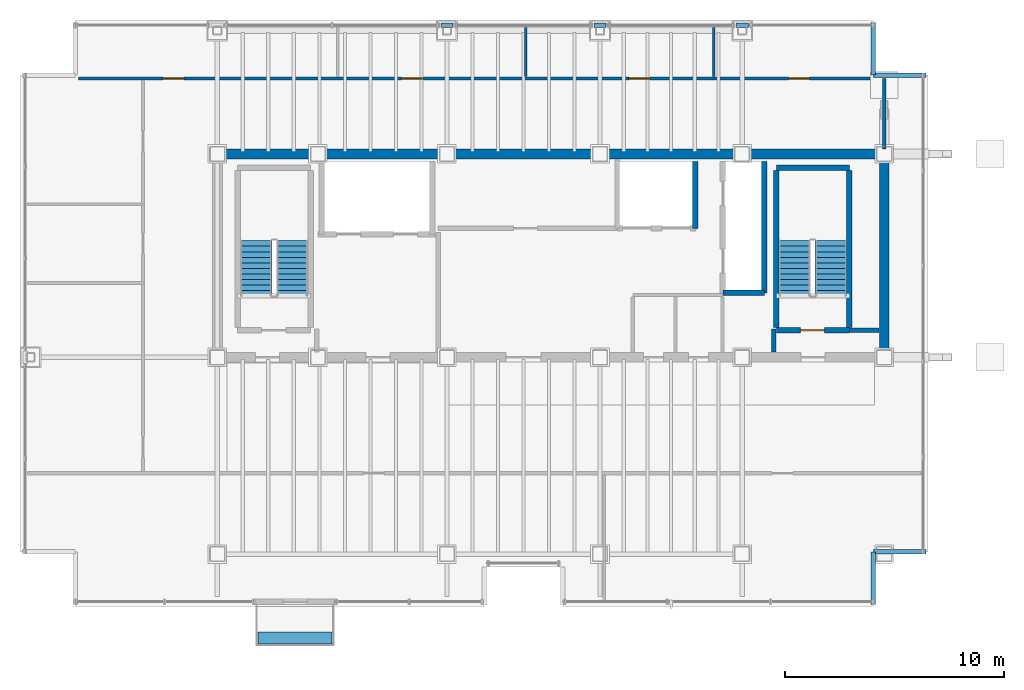
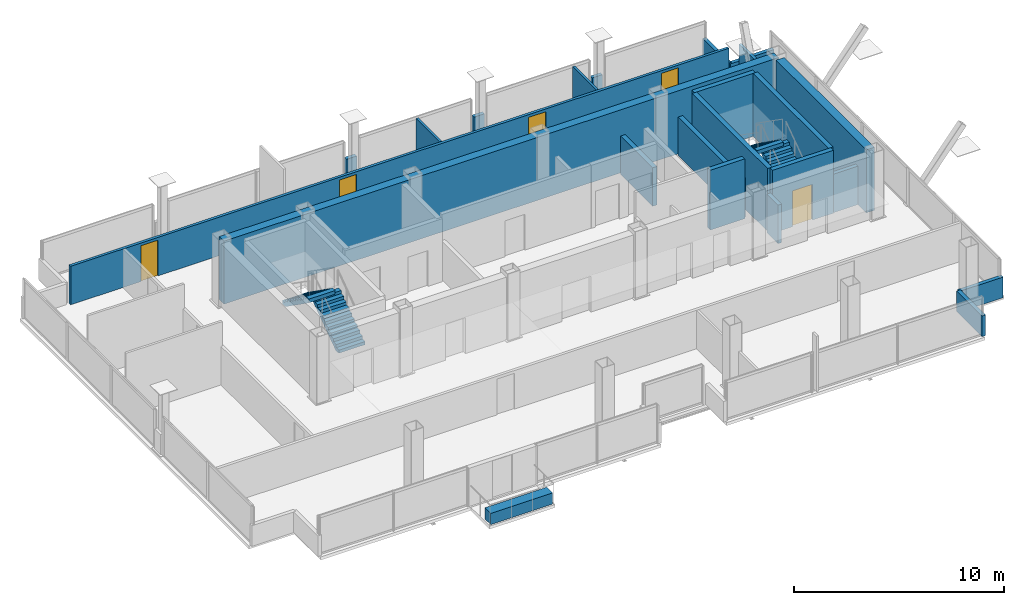
# One storey, part 15 of 16: 22 walls, 5 doors, 4 stair flights, 1 discrete accessory, 5 openings, 2 elements without a shape of their own.
"""IFC4 building model written with IfcOpenShell, lengths in metres."""

from ifc_helpers import new_model, si_unit, direction, frame, frame_2d, origin, origin_2d, place, context, subcontext, project, spatial, polyline, rectangle, outline, extrude, material, layer, layer_set, type_object, element, fill, aggregate, save


model = new_model("IFC4")

# Units and contexts
model_context = context("Model", 3, precision=1e-05, world=origin(), true_north=direction((0.0, 1.0)))
body_context = subcontext(model_context, "Body", "Model", "MODEL_VIEW")
ifc_project = project(units=[si_unit("LENGTHUNIT", "METRE"), si_unit("AREAUNIT", "SQUARE_METRE"), si_unit("VOLUMEUNIT", "CUBIC_METRE"), si_unit("PLANEANGLEUNIT", "RADIAN"), si_unit("MASSUNIT", "GRAM", prefix="KILO")], contexts=[model_context])

# Site, building, storey
site_placement = place(None, origin())
site = spatial("IfcSite", under=ifc_project, at=site_placement, CompositionType="ELEMENT")
building_placement = place(site_placement, origin())
building = spatial("IfcBuilding", under=site, at=building_placement, Name="Noeulbin Bourse Tower", CompositionType="ELEMENT")
storey_placement = place(building_placement, frame((0.0, 0.0, 277.39990234375)))
storey = spatial("IfcBuildingStorey", under=building, at=storey_placement, Name="L69", CompositionType="ELEMENT", Elevation=277.39990234375)

# Walls
ifc_material_1 = material(Name="Concrete C50/60", Category="concrete")
ifc_layer_1 = layer(ifc_material_1, 0.449951171875)
ifc_layer_set_1 = layer_set([ifc_layer_1], Name="Concrete C50/60")
wall_type_1 = type_object("IfcWallType", Name="WAL-CORE-450", PredefinedType="SHEAR", material=ifc_layer_set_1)
wall_1_placement = place(storey_placement, frame((13.5, 38.300048828125, 0.0), z_axis=(0.0, 0.0, 1.0), x_axis=(1.0, 0.0, 0.0)))
element("IfcWall", 1, at=wall_1_placement, inside=storey, type_object=wall_type_1, Name="Rear Core North Shear Wall L69", PredefinedType="SHEAR", context=body_context, shape_type="SweptSolid", body=[
    extrude(rectangle(XDim=30.5, YDim=0.449951171875, at=frame_2d((15.25, 0.0))), origin(), (0.0, 0.0, 1.0), 3.66015625),
])
wall_2_placement = place(storey_placement, frame((44.0, 29.35009765625, 0.0), z_axis=(0.0, 0.0, 1.0), x_axis=(0.0, 1.0, 0.0)))
element("IfcWall", 2, at=wall_2_placement, inside=storey, type_object=wall_type_1, Name="Rear Core East Shear Wall L69", PredefinedType="SHEAR", context=body_context, shape_type="SweptSolid", body=[
    extrude(rectangle(XDim=8.599853515625, YDim=0.449951171875, at=frame_2d((4.2998046875, 0.0))), origin(), (0.0, 0.0, 1.0), 3.66015625),
])
ifc_material_2 = material(Name="Concrete C40/50", Category="concrete")
ifc_layer_2 = layer(ifc_material_2, 0.199951171875)
ifc_layer_set_2 = layer_set([ifc_layer_2], Name="Concrete C40/50")
wall_type_2 = type_object("IfcWallType", Name="WAL-FIRE-200", PredefinedType="STANDARD", material=ifc_layer_set_2)
wall_3_placement = place(storey_placement, frame((42.39990234375, 30.239990234375, 0.0), z_axis=(0.0, 0.0, 1.0), x_axis=(1.0, 0.0, 0.0)))
element("IfcWall", 3, at=wall_3_placement, inside=storey, type_object=wall_type_2, Name="Interior Partition Wall L69-01", PredefinedType="STANDARD", context=body_context, shape_type="SweptSolid", body=[
    extrude(rectangle(XDim=1.364990234375, YDim=0.199951171875, at=frame_2d((0.6826171875, 0.0))), origin(), (0.0, 0.0, 1.0), 2.239990234375),
])
wall_4_placement = place(storey_placement, frame((38.949951171875, 29.235107421875, 0.0), z_axis=(0.0, 0.0, 1.0), x_axis=(0.0, 1.0, 0.0)))
element("IfcWall", 4, at=wall_4_placement, inside=storey, type_object=wall_type_2, Name="Interior Partition Wall L69-09", PredefinedType="STANDARD", context=body_context, shape_type="SweptSolid", body=[
    extrude(rectangle(XDim=1.06494140625, YDim=0.199951171875, at=frame_2d((0.532470703125, 0.0))), origin(), (0.0, 0.0, 1.0), 2.239990234375),
])
ifc_layer_3 = layer(ifc_material_2, 0.199951171875)
ifc_layer_set_3 = layer_set([ifc_layer_3], Name="Concrete C40/50")
wall_type_3 = type_object("IfcWallType", Name="WAL-PAR-200", PredefinedType="PARAPET", material=ifc_layer_set_3)
for number, where, z_axis, x_axis, name in (
    (5, (23.719970703125, 44.179931640625, 0.0), (0.0, 0.0, 1.0), (1.0, 0.0, 0.0), "Perimeter Pier Spandrel Parapet L69-N2"),
    (6, (30.719970703125, 44.179931640625, 0.0), (0.0, 0.0, 1.0), (1.0, 0.0, 0.0), "Perimeter Pier Spandrel Parapet L69-N3"),
    (7, (37.219970703125, 44.179931640625, 0.0), (0.0, 0.0, 1.0), (1.0, 0.0, 0.0), "Perimeter Pier Spandrel Parapet L69-N4"),
):
    element("IfcWall", number, at=place(storey_placement, frame(where, z_axis=z_axis, x_axis=x_axis)), inside=storey, type_object=wall_type_3, Name=name, PredefinedType="PARAPET", context=body_context, shape_type="SweptSolid", body=[
        extrude(rectangle(XDim=0.56005859375, YDim=0.199951171875, at=frame_2d((0.280029296875, 0.0))), origin(), (0.0, 0.0, 1.0), 1.2001953125),
    ])
wall_5_placement = place(storey_placement, frame((43.5, 17.699951171875, 0.0), z_axis=(0.0, 0.0, 1.0), x_axis=(0.0, 1.0, 0.0)))
element("IfcWall", 8, at=wall_5_placement, inside=storey, type_object=wall_type_3, Name="Corner Notch Parapet L69-SE1", PredefinedType="PARAPET", context=body_context, shape_type="SweptSolid", body=[
    extrude(rectangle(XDim=2.400146484375, YDim=0.199951171875, at=frame_2d((1.2001953125, 0.0))), origin(), (0.0, 0.0, 1.0), 1.2001953125),
])
wall_6_placement = place(storey_placement, frame((43.5, 20.10009765625, 0.0), z_axis=(0.0, 0.0, 1.0), x_axis=(1.0, 0.0, 0.0)))
element("IfcWall", 9, at=wall_6_placement, inside=storey, type_object=wall_type_3, Name="Corner Notch Parapet L69-SE2", PredefinedType="PARAPET", context=body_context, shape_type="SweptSolid", body=[
    extrude(rectangle(XDim=2.39990234375, YDim=0.199951171875, at=frame_2d((1.199951171875, 0.0))), origin(), (0.0, 0.0, 1.0), 1.2001953125),
])
wall_7_placement = place(storey_placement, frame((43.5, 44.300048828125, 0.0), z_axis=(0.0, 0.0, 1.0), x_axis=(0.0, -1.0, 0.0)))
element("IfcWall", 10, at=wall_7_placement, inside=storey, type_object=wall_type_3, Name="Corner Notch Parapet L69-NE1", PredefinedType="PARAPET", context=body_context, shape_type="SweptSolid", body=[
    extrude(rectangle(XDim=2.400146484375, YDim=0.199951171875, at=frame_2d((1.2001953125, 0.0))), origin(), (0.0, 0.0, 1.0), 1.2001953125),
])
wall_8_placement = place(storey_placement, frame((43.5, 41.89990234375, 0.0), z_axis=(0.0, 0.0, 1.0), x_axis=(1.0, 0.0, 0.0)))
element("IfcWall", 11, at=wall_8_placement, inside=storey, type_object=wall_type_3, Name="Corner Notch Parapet L69-NE2", PredefinedType="PARAPET", context=body_context, shape_type="SweptSolid", body=[
    extrude(rectangle(XDim=2.39990234375, YDim=0.199951171875, at=frame_2d((1.199951171875, 0.0))), origin(), (0.0, 0.0, 1.0), 1.2001953125),
])
ifc_material_3 = material(Name="Steel Stud Gypsum Partition", Category="steel")
ifc_layer_4 = layer(ifc_material_3, 0.1201171875)
ifc_layer_set_4 = layer_set([ifc_layer_4], Name="Steel Stud Gypsum Partition")
wall_type_4 = type_object("IfcWallType", Name="WAL-PRT-120", PredefinedType="PARTITIONING", material=ifc_layer_set_4)
for number, where, z_axis, x_axis, name in (
    (12, (27.60009765625, 41.8349609375, 0.0), (0.0, 0.0, 1.0), (0.0, 1.0, 0.0), "Interior Partition Wall L69-18"),
    (13, (36.199951171875, 41.8349609375, 0.0), (0.0, 0.0, 1.0), (0.0, 1.0, 0.0), "Interior Partition Wall L69-19"),
):
    element("IfcWall", number, at=place(storey_placement, frame(where, z_axis=z_axis, x_axis=x_axis)), inside=storey, type_object=wall_type_4, Name=name, PredefinedType="PARTITIONING", context=body_context, shape_type="SweptSolid", body=[
        extrude(rectangle(XDim=2.255126953125, YDim=0.1201171875, at=frame_2d((1.12744140625, 0.0))), origin(), (0.0, 0.0, 1.0), 2.239990234375),
    ])

# Wall, openings, doors
ifc_material_4 = material(Name="Steel Stud Acoustic Gypsum Board", Category="steel")
ifc_layer_5 = layer(ifc_material_4, 0.14990234375)
ifc_layer_set_5 = layer_set([ifc_layer_5], Name="Steel Stud Acoustic Gypsum Board")
wall_type_5 = type_object("IfcWallType", Name="WAL-PRT-150", PredefinedType="PARTITIONING", material=ifc_layer_set_5)
wall_9_placement = place(storey_placement, frame((7.159912109375, 41.75, 0.0), z_axis=(0.0, 0.0, 1.0), x_axis=(1.0, 0.0, 0.0)))
wall_9 = element("IfcWall", 14, at=wall_9_placement, inside=storey, type_object=wall_type_5, Name="Interior Partition Wall L69-07", PredefinedType="PARTITIONING", context=body_context, shape_type="SweptSolid", body=[
    extrude(rectangle(XDim=36.18017578125, YDim=0.14990234375, at=frame_2d((18.090087890625, 0.0))), origin(), (0.0, 0.0, 1.0), 2.239990234375),
])
opening_1_placement = place(wall_9_placement, frame((3.85498046875, 0.0, 0.0)))
opening_1 = element("IfcOpeningElement", 15, at=opening_1_placement, cuts=wall_9, Name="Opening ID-09", PredefinedType="OPENING", context=body_context, shape_type="SweptSolid", body=[
    extrude(rectangle(XDim=0.949951171875, YDim=2.080078125, at=frame_2d((0.47509765625, 1.0400390625))), frame((0.0, 0.0849609375, 0.0), z_axis=(0.0, -1.0, 0.0), x_axis=(1.0, 0.0, 0.0)), (0.0, 0.0, 1.0), 0.169921875),
])
opening_2_placement = place(wall_9_placement, frame((14.764892578125, 0.0, 0.0)))
opening_2 = element("IfcOpeningElement", 16, at=opening_2_placement, cuts=wall_9, Name="Opening ID-09", PredefinedType="OPENING", context=body_context, shape_type="SweptSolid", body=[
    extrude(rectangle(XDim=0.949951171875, YDim=2.080078125, at=frame_2d((0.47509765625, 1.0400390625))), frame((0.0, 0.0849609375, 0.0), z_axis=(0.0, -1.0, 0.0), x_axis=(1.0, 0.0, 0.0)), (0.0, 0.0, 1.0), 0.169921875),
])
opening_3_placement = place(wall_9_placement, frame((25.1650390625, 0.0, 0.0)))
opening_3 = element("IfcOpeningElement", 17, at=opening_3_placement, cuts=wall_9, Name="Opening ID-09", PredefinedType="OPENING", context=body_context, shape_type="SweptSolid", body=[
    extrude(rectangle(XDim=0.949951171875, YDim=2.080078125, at=frame_2d((0.47509765625, 1.0400390625))), frame((0.0, 0.0849609375, 0.0), z_axis=(0.0, -1.0, 0.0), x_axis=(1.0, 0.0, 0.0)), (0.0, 0.0, 1.0), 0.169921875),
])
opening_4_placement = place(wall_9_placement, frame((32.465087890625, 0.0, 0.0)))
opening_4 = element("IfcOpeningElement", 18, at=opening_4_placement, cuts=wall_9, Name="Opening ID-09", PredefinedType="OPENING", context=body_context, shape_type="SweptSolid", body=[
    extrude(rectangle(XDim=0.949951171875, YDim=2.080078125, at=frame_2d((0.47509765625, 1.0400390625))), frame((0.0, 0.0849609375, 0.0), z_axis=(0.0, -1.0, 0.0), x_axis=(1.0, 0.0, 0.0)), (0.0, 0.0, 1.0), 0.169921875),
])
ifc_material_5 = material(Name="Acoustic Solid-Core Timber", Category="wood")
door_type_1 = type_object("IfcDoorType", Name="DR-SINGLE-950", OperationType="SINGLE_SWING_LEFT", PredefinedType="DOOR", material=ifc_material_5)
door_1_placement = place(opening_1_placement, origin())
door_1 = element("IfcDoor", 19, at=door_1_placement, inside=storey, type_object=door_type_1, Name="Interior Door L69-13", OperationType="SINGLE_SWING_LEFT", OverallHeight=2.080078125, OverallWidth=0.949951171875, PredefinedType="DOOR", context=body_context, shape_type="SweptSolid", body=[
    extrude(rectangle(XDim=0.949951171875, YDim=2.080078125, at=frame_2d((0.47509765625, 1.0400390625))), frame((0.0, 0.02490234375, 0.0), z_axis=(0.0, -1.0, 0.0), x_axis=(1.0, 0.0, 0.0)), (0.0, 0.0, 1.0), 0.050048828125),
])
fill(opening_1, door_1)
door_2_placement = place(opening_2_placement, origin())
door_2 = element("IfcDoor", 20, at=door_2_placement, inside=storey, type_object=door_type_1, Name="Interior Door L69-14", OperationType="SINGLE_SWING_RIGHT", OverallHeight=2.080078125, OverallWidth=0.949951171875, PredefinedType="DOOR", context=body_context, shape_type="SweptSolid", body=[
    extrude(rectangle(XDim=0.949951171875, YDim=2.080078125, at=frame_2d((0.47509765625, 1.0400390625))), frame((0.0, 0.02490234375, 0.0), z_axis=(0.0, -1.0, 0.0), x_axis=(1.0, 0.0, 0.0)), (0.0, 0.0, 1.0), 0.050048828125),
])
fill(opening_2, door_2)
door_3_placement = place(opening_3_placement, origin())
door_3 = element("IfcDoor", 21, at=door_3_placement, inside=storey, type_object=door_type_1, Name="Interior Door L69-15", OperationType="SINGLE_SWING_LEFT", OverallHeight=2.080078125, OverallWidth=0.949951171875, PredefinedType="DOOR", context=body_context, shape_type="SweptSolid", body=[
    extrude(rectangle(XDim=0.949951171875, YDim=2.080078125, at=frame_2d((0.47509765625, 1.0400390625))), frame((0.0, 0.02490234375, 0.0), z_axis=(0.0, -1.0, 0.0), x_axis=(1.0, 0.0, 0.0)), (0.0, 0.0, 1.0), 0.050048828125),
])
fill(opening_3, door_3)
door_4_placement = place(opening_4_placement, origin())
door_4 = element("IfcDoor", 22, at=door_4_placement, inside=storey, type_object=door_type_1, Name="Interior Door L69-16", OperationType="SINGLE_SWING_RIGHT", OverallHeight=2.080078125, OverallWidth=0.949951171875, PredefinedType="DOOR", context=body_context, shape_type="SweptSolid", body=[
    extrude(rectangle(XDim=0.949951171875, YDim=2.080078125, at=frame_2d((0.47509765625, 1.0400390625))), frame((0.0, 0.02490234375, 0.0), z_axis=(0.0, -1.0, 0.0), x_axis=(1.0, 0.0, 0.0)), (0.0, 0.0, 1.0), 0.050048828125),
])
fill(opening_4, door_4)

# Wall
wall_10_placement = place(storey_placement, frame((44.0, 38.534912109375, 0.0), z_axis=(0.0, 0.0, 1.0), x_axis=(0.0, 1.0, 0.0)))
element("IfcWall", 23, at=wall_10_placement, inside=storey, type_object=wall_type_5, Name="Interior Partition Wall L69-16", PredefinedType="PARTITIONING", context=body_context, shape_type="SweptSolid", body=[
    extrude(rectangle(XDim=3.205078125, YDim=0.14990234375, at=frame_2d((1.6025390625, 0.0))), origin(), (0.0, 0.0, 1.0), 2.239990234375),
])

# Wall, opening, door
ifc_layer_6 = layer(ifc_material_2, 0.25)
ifc_layer_set_6 = layer_set([ifc_layer_6], Name="Concrete C40/50")
wall_type_6 = type_object("IfcWallType", Name="WAL-SHFT-250", PredefinedType="STANDARD", material=ifc_layer_set_6)
wall_11_placement = place(storey_placement, frame((39.06005859375, 30.235107421875, 0.0), z_axis=(0.0, 0.0, 1.0), x_axis=(1.0, 0.0, 0.0)))
wall_11 = element("IfcWall", 24, at=wall_11_placement, inside=storey, type_object=wall_type_6, Name="Stair ST-2 South Shaft Wall L69", PredefinedType="STANDARD", context=body_context, shape_type="SweptSolid", body=[
    extrude(rectangle(XDim=3.33984375, YDim=0.25, at=frame_2d((1.669921875, 0.0))), origin(), (0.0, 0.0, 1.0), 3.66015625),
])
opening_5_placement = place(wall_11_placement, frame((1.10009765625, 0.0, 0.0)))
opening_5 = element("IfcOpeningElement", 25, at=opening_5_placement, cuts=wall_11, Name="Opening FD-11", PredefinedType="OPENING", context=body_context, shape_type="SweptSolid", body=[
    extrude(rectangle(XDim=1.10009765625, YDim=2.080078125, at=frame_2d((0.550048828125, 1.0400390625))), frame((0.0, 0.135009765625, 0.0), z_axis=(0.0, -1.0, 0.0), x_axis=(1.0, 0.0, 0.0)), (0.0, 0.0, 1.0), 0.27001953125),
])
ifc_material_6 = material(Name="Fire-Rated Insulated Steel", Category="steel")
door_type_2 = type_object("IfcDoorType", Name="DR-FD60-1100", OperationType="SINGLE_SWING_LEFT", PredefinedType="DOOR", material=ifc_material_6)
door_5_placement = place(opening_5_placement, origin())
door_5 = element("IfcDoor", 26, at=door_5_placement, inside=storey, type_object=door_type_2, Name="Protected Stair Entry Door ST2-L69", OperationType="SINGLE_SWING_RIGHT", OverallHeight=2.080078125, OverallWidth=1.10009765625, PredefinedType="DOOR", context=body_context, shape_type="SweptSolid", body=[
    extrude(rectangle(XDim=1.10009765625, YDim=2.080078125, at=frame_2d((0.550048828125, 1.0400390625))), frame((0.0, 0.02490234375, 0.0), z_axis=(0.0, -1.0, 0.0), x_axis=(1.0, 0.0, 0.0)), (0.0, 0.0, 1.0), 0.050048828125),
])
fill(opening_5, door_5)

# Walls
wall_12_placement = place(storey_placement, frame((39.06005859375, 37.6689453125, 0.0), z_axis=(0.0, 0.0, 1.0), x_axis=(1.0, 0.0, 0.0)))
element("IfcWall", 27, at=wall_12_placement, inside=storey, type_object=wall_type_6, Name="Stair ST-2 North Shaft Wall L69", PredefinedType="STANDARD", context=body_context, shape_type="SweptSolid", body=[
    extrude(rectangle(XDim=3.33984375, YDim=0.25, at=frame_2d((1.669921875, 0.0))), origin(), (0.0, 0.0, 1.0), 3.66015625),
])
for number, where, z_axis, x_axis, name in (
    (28, (39.054931640625, 30.360107421875, 0.0), (0.0, 0.0, 1.0), (0.0, 1.0, 0.0), "Stair ST-2 West Shaft Wall L69"),
    (29, (42.405029296875, 30.360107421875, 0.0), (0.0, 0.0, 1.0), (0.0, 1.0, 0.0), "Stair ST-2 East Shaft Wall L69"),
):
    element("IfcWall", number, at=place(storey_placement, frame(where, z_axis=z_axis, x_axis=x_axis)), inside=storey, type_object=wall_type_6, Name=name, PredefinedType="STANDARD", context=body_context, shape_type="SweptSolid", body=[
        extrude(rectangle(XDim=7.183837890625, YDim=0.25, at=frame_2d((3.591796875, 0.0))), origin(), (0.0, 0.0, 1.0), 3.66015625),
    ])
wall_13_placement = place(storey_placement, frame((38.52001953125, 31.949951171875, 0.0), z_axis=(0.0, 0.0, 1.0), x_axis=(0.0, 1.0, 0.0)))
element("IfcWall", 30, at=wall_13_placement, inside=storey, type_object=wall_type_6, Name="Service Lift East Shaft Wall L69", PredefinedType="STANDARD", context=body_context, shape_type="SweptSolid", body=[
    extrude(rectangle(XDim=6.0, YDim=0.25, at=frame_2d((3.0, 0.0))), origin(), (0.0, 0.0, 1.0), 2.239990234375),
])
wall_14_placement = place(storey_placement, frame((36.6201171875, 31.949951171875, 0.0), z_axis=(0.0, 0.0, 1.0), x_axis=(1.0, 0.0, 0.0)))
element("IfcWall", 31, at=wall_14_placement, inside=storey, type_object=wall_type_6, Name="Service Lift South Shaft Wall L69", PredefinedType="STANDARD", context=body_context, shape_type="SweptSolid", body=[
    extrude(rectangle(XDim=1.89990234375, YDim=0.25, at=frame_2d((0.949951171875, 0.0))), origin(), (0.0, 0.0, 1.0), 3.47998046875),
])
wall_15_placement = place(storey_placement, frame((35.360107421875, 34.89990234375, 0.0), z_axis=(0.0, 0.0, 1.0), x_axis=(0.0, 1.0, 0.0)))
element("IfcWall", 32, at=wall_15_placement, inside=storey, type_object=wall_type_6, Name="High-Rise Lift East Shaft Wall L69", PredefinedType="STANDARD", context=body_context, shape_type="SweptSolid", body=[
    extrude(rectangle(XDim=3.050048828125, YDim=0.25, at=frame_2d((1.52490234375, 0.0))), origin(), (0.0, 0.0, 1.0), 2.239990234375),
])

# Stair, stair flights
stair_type = type_object("IfcStairType", Name="STR-CORE-1560", PredefinedType="HALF_TURN_STAIR", material=ifc_material_2)
stair_1_placement = place(storey_placement, origin())
stair_1 = element("IfcStair", 33, at=stair_1_placement, inside=storey, type_object=stair_type, Name="L69 ST-1", PredefinedType="HALF_TURN_STAIR")
stair_flight_type = type_object("IfcStairFlightType", Name="SFL-CORE-1560", PredefinedType="STRAIGHT", material=ifc_material_2)
stair_flight_1_placement = place(storey_placement, frame((16.925048828125, 31.81005859375, 0.0), z_axis=(0.0, 0.0, 1.0), x_axis=(0.0, 1.0, 0.0)))
stair_flight_1 = element("IfcStairFlight", 34, at=stair_flight_1_placement, type_object=stair_flight_type, Name="ST-1 flight 1", NumberOfRisers=11, NumberOfTreads=10, PredefinedType="STRAIGHT", RiserHeight=0.177272727, TreadLength=0.252, context=body_context, shape_type="SweptSolid", body=[
    extrude(outline(polyline([(0.0, 0.0), (0.0, 0.17724609375), (0.251953125, 0.17724609375), (0.251953125, 0.3544921875), (0.50390625, 0.3544921875), (0.50390625, 0.53173828125), (0.756103515625, 0.53173828125), (0.756103515625, 0.708984375), (1.008056640625, 0.708984375), (1.008056640625, 0.886474609375), (1.260009765625, 0.886474609375), (1.260009765625, 1.063720703125), (1.511962890625, 1.063720703125), (1.511962890625, 1.240966796875), (1.763916015625, 1.240966796875), (1.763916015625, 1.418212890625), (2.01611328125, 1.418212890625), (2.01611328125, 1.595458984375), (2.26806640625, 1.595458984375), (2.26806640625, 1.772705078125), (2.52001953125, 1.772705078125), (2.52001953125, 1.949951171875), (2.52001953125, 1.552734375), (0.312744140625, 0.0), (0.0, 0.0)])), frame((0.0, 0.72509765625, 0.0), z_axis=(0.0, -1.0, 0.0), x_axis=(1.0, 0.0, 0.0)), (0.0, 0.0, 1.0), 1.449951171875),
])
stair_flight_2_placement = place(storey_placement, frame((15.27490234375, 34.330078125, 1.9501953125), z_axis=(0.0, 0.0, 1.0), x_axis=(0.0, -1.0, 0.0)))
stair_flight_2 = element("IfcStairFlight", 35, at=stair_flight_2_placement, type_object=stair_flight_type, Name="ST-1 flight 2", NumberOfRisers=11, NumberOfTreads=10, PredefinedType="STRAIGHT", RiserHeight=0.177272727, TreadLength=0.252, context=body_context, shape_type="SweptSolid", body=[
    extrude(outline(polyline([(0.0, 0.0), (0.0, 0.17724609375), (0.251953125, 0.17724609375), (0.251953125, 0.3544921875), (0.50390625, 0.3544921875), (0.50390625, 0.53173828125), (0.756103515625, 0.53173828125), (0.756103515625, 0.708984375), (1.008056640625, 0.708984375), (1.008056640625, 0.886474609375), (1.260009765625, 0.886474609375), (1.260009765625, 1.063720703125), (1.511962890625, 1.063720703125), (1.511962890625, 1.240966796875), (1.763916015625, 1.240966796875), (1.763916015625, 1.418212890625), (2.01611328125, 1.418212890625), (2.01611328125, 1.595458984375), (2.26806640625, 1.595458984375), (2.26806640625, 1.772705078125), (2.52001953125, 1.772705078125), (2.52001953125, 1.949951171875), (2.52001953125, 1.552734375), (0.312744140625, 0.0), (0.0, 0.0)])), frame((0.0, 0.72509765625, 0.0), z_axis=(0.0, -1.0, 0.0), x_axis=(1.0, 0.0, 0.0)), (0.0, 0.0, 1.0), 1.449951171875),
])
aggregate(stair_1, [stair_flight_1, stair_flight_2])

stair_2_placement = place(storey_placement, origin())
stair_2 = element("IfcStair", 36, at=stair_2_placement, inside=storey, type_object=stair_type, Name="L69 ST-2", PredefinedType="HALF_TURN_STAIR")
stair_flight_3_placement = place(storey_placement, frame((41.554931640625, 31.81005859375, 0.0), z_axis=(0.0, 0.0, 1.0), x_axis=(0.0, 1.0, 0.0)))
stair_flight_3 = element("IfcStairFlight", 37, at=stair_flight_3_placement, type_object=stair_flight_type, Name="ST-2 flight 1", NumberOfRisers=11, NumberOfTreads=10, PredefinedType="STRAIGHT", RiserHeight=0.177272727, TreadLength=0.252, context=body_context, shape_type="SweptSolid", body=[
    extrude(outline(polyline([(0.0, 0.0), (0.0, 0.17724609375), (0.251953125, 0.17724609375), (0.251953125, 0.3544921875), (0.50390625, 0.3544921875), (0.50390625, 0.53173828125), (0.756103515625, 0.53173828125), (0.756103515625, 0.708984375), (1.008056640625, 0.708984375), (1.008056640625, 0.886474609375), (1.260009765625, 0.886474609375), (1.260009765625, 1.063720703125), (1.511962890625, 1.063720703125), (1.511962890625, 1.240966796875), (1.763916015625, 1.240966796875), (1.763916015625, 1.418212890625), (2.01611328125, 1.418212890625), (2.01611328125, 1.595458984375), (2.26806640625, 1.595458984375), (2.26806640625, 1.772705078125), (2.52001953125, 1.772705078125), (2.52001953125, 1.949951171875), (2.52001953125, 1.552734375), (0.312744140625, 0.0), (0.0, 0.0)])), frame((0.0, 0.72509765625, 0.0), z_axis=(0.0, -1.0, 0.0), x_axis=(1.0, 0.0, 0.0)), (0.0, 0.0, 1.0), 1.449951171875),
])
stair_flight_4_placement = place(storey_placement, frame((39.905029296875, 34.330078125, 1.9501953125), z_axis=(0.0, 0.0, 1.0), x_axis=(0.0, -1.0, 0.0)))
stair_flight_4 = element("IfcStairFlight", 38, at=stair_flight_4_placement, type_object=stair_flight_type, Name="ST-2 flight 2", NumberOfRisers=11, NumberOfTreads=10, PredefinedType="STRAIGHT", RiserHeight=0.177272727, TreadLength=0.252, context=body_context, shape_type="SweptSolid", body=[
    extrude(outline(polyline([(0.0, 0.0), (0.0, 0.17724609375), (0.251953125, 0.17724609375), (0.251953125, 0.3544921875), (0.50390625, 0.3544921875), (0.50390625, 0.53173828125), (0.756103515625, 0.53173828125), (0.756103515625, 0.708984375), (1.008056640625, 0.708984375), (1.008056640625, 0.886474609375), (1.260009765625, 0.886474609375), (1.260009765625, 1.063720703125), (1.511962890625, 1.063720703125), (1.511962890625, 1.240966796875), (1.763916015625, 1.240966796875), (1.763916015625, 1.418212890625), (2.01611328125, 1.418212890625), (2.01611328125, 1.595458984375), (2.26806640625, 1.595458984375), (2.26806640625, 1.772705078125), (2.52001953125, 1.772705078125), (2.52001953125, 1.949951171875), (2.52001953125, 1.552734375), (0.312744140625, 0.0), (0.0, 0.0)])), frame((0.0, 0.72509765625, 0.0), z_axis=(0.0, -1.0, 0.0), x_axis=(1.0, 0.0, 0.0)), (0.0, 0.0, 1.0), 1.449951171875),
])
aggregate(stair_2, [stair_flight_3, stair_flight_4])

# Discrete accessory
ifc_material_7 = material(Name="Architectural GFRC Concrete C40/50", Category="concrete")
ifc_layer_7 = layer(ifc_material_7, 0.64990234375)
ifc_layer_set_7 = layer_set([ifc_layer_7], Name="Architectural GFRC Concrete C40/50")
discrete_accessory_type = type_object("IfcDiscreteAccessoryType", Name="PLANTER-BOX-3600", PredefinedType="USERDEFINED", material=ifc_layer_set_7)
discrete_accessory_placement = place(storey_placement, frame((17.050048828125, 16.159912109375, 0.000244140625), z_axis=(0.0, 0.0, 1.0), x_axis=(1.0, 0.0, 0.0)))
element("IfcDiscreteAccessory", 39, at=discrete_accessory_placement, inside=storey, type_object=discrete_accessory_type, Name="Integrated Balcony Tree Planter Box L69", ObjectType="PLANTER", PredefinedType="USERDEFINED", context=body_context, shape_type="SweptSolid", body=[
    extrude(rectangle(XDim=3.39990234375, YDim=0.550048828125, at=origin_2d()), origin(), (0.0, 0.0, 1.0), 0.64990234375),
])

save(model, "model.ifc")
